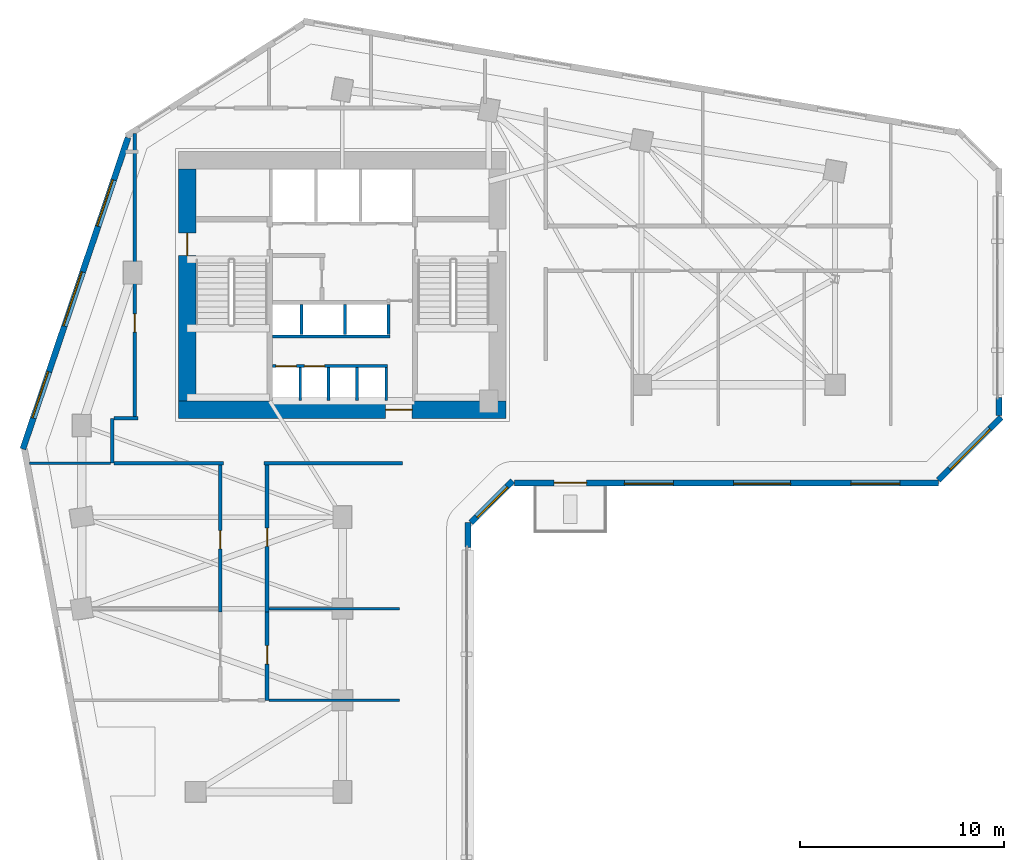
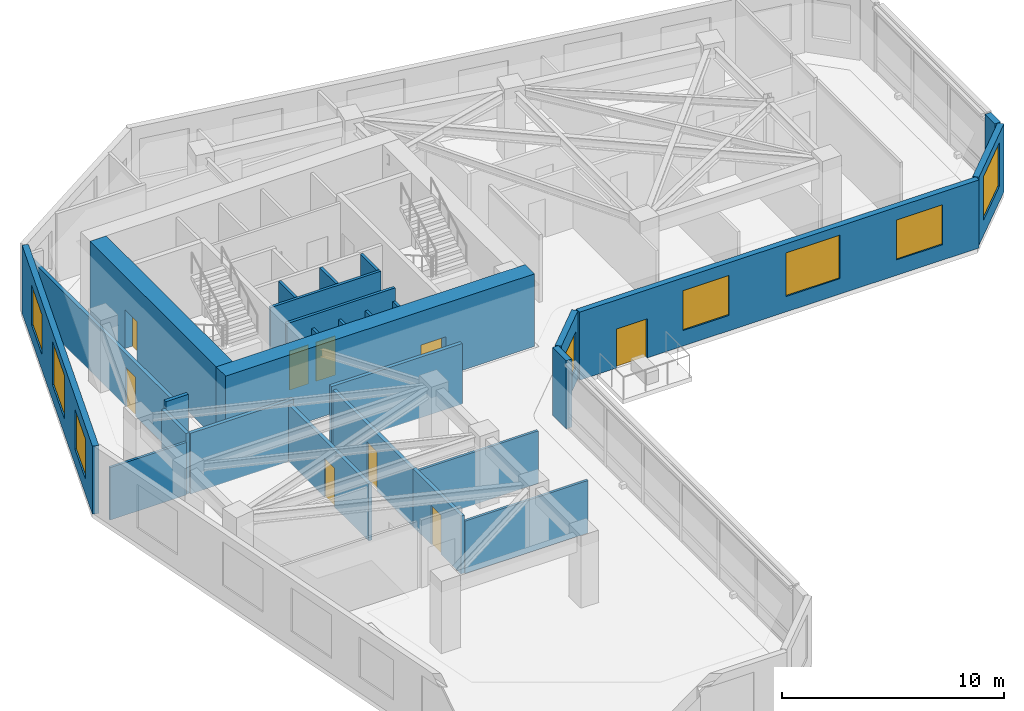
# One storey, part 5 of 10: 28 walls, 9 doors, 8 windows, 17 openings.
"""IFC4 building model written with IfcOpenShell, lengths in metres."""

import ifcopenshell
import ifcopenshell.guid

model = None  # the IFC model being written
_history = None  # IfcOwnerHistory: only IFC2X3 demands one
_inside = {}  # id of a spatial element -> (the spatial element, [elements in it])
_under = {}  # id of a project, library or spatial element -> (it, [spatial elements below it])
_declared = {}  # id of a project -> (the project, [libraries it declares])
_typed = {}  # id of a type object -> (the type object, [elements of that type])
_made_of = {}  # id of a material, layer set ... -> (it, [elements and type objects made of it])


def new_model(schema):
    """Start an empty IFC model of exactly this schema.

    Asked for "IFC4X3", IfcOpenShell would pick the latest addendum, in which some entities
    have other attributes; the version numbers below select the first issue.
    IFC2X3 requires an IfcOwnerHistory on every rooted entity: one is made here for all.
    """
    global model, _history
    if schema == "IFC4X3":
        model = ifcopenshell.file(schema_version=(4, 3, 0, 0))
    else:
        model = ifcopenshell.file(schema=schema)
    _inside.clear()
    _under.clear()
    _declared.clear()
    _typed.clear()
    _made_of.clear()
    _history = None
    if model.schema == "IFC2X3":
        org = make("IfcOrganization", Name="unknown")
        user = make(
            "IfcPersonAndOrganization",
            ThePerson=make("IfcPerson", FamilyName="unknown"),
            TheOrganization=org,
        )
        app = make(
            "IfcApplication",
            ApplicationDeveloper=org,
            Version="unknown",
            ApplicationFullName="unknown",
            ApplicationIdentifier="unknown",
        )
        _history = make(
            "IfcOwnerHistory",
            OwningUser=user,
            OwningApplication=app,
            ChangeAction="ADDED",
            CreationDate=0,
        )
    return model


def make(cls, **values):
    """One entity of the class cls with the attributes given. An attribute that is None is left unset."""
    return model.create_entity(
        cls, **{name: value for name, value in values.items() if value is not None}
    )


def rooted(cls, **values):
    """An entity with a GlobalId (a new one), such as an element, a storey or a relation."""
    return make(cls, GlobalId=ifcopenshell.guid.new(), OwnerHistory=_history, **values)


def si_unit(unit_type, name, prefix=None):
    """IfcSIUnit, for example si_unit("LENGTHUNIT", "METRE", prefix="MILLI")."""
    return make("IfcSIUnit", UnitType=unit_type, Prefix=prefix, Name=name)


def assignment(units):
    """IfcUnitAssignment: the units of a project."""
    return None if units is None else make("IfcUnitAssignment", Units=units)


def point(xyz):
    """IfcCartesianPoint."""
    return None if xyz is None else make("IfcCartesianPoint", Coordinates=xyz)


def direction(xyz):
    """IfcDirection."""
    return None if xyz is None else make("IfcDirection", DirectionRatios=xyz)


def frame(location, z_axis=None, x_axis=None):
    """IfcAxis2Placement3D, a coordinate frame: its origin and axes. An axis left out is left unset."""
    return make(
        "IfcAxis2Placement3D",
        Location=point(location),
        Axis=direction(z_axis),
        RefDirection=direction(x_axis),
    )


def frame_2d(location, x_axis=None):
    """IfcAxis2Placement2D, a coordinate frame in the plane: its origin and x axis."""
    return make(
        "IfcAxis2Placement2D", Location=point(location), RefDirection=direction(x_axis)
    )


def origin():
    """The frame at (0, 0, 0) with its axes left unset."""
    return frame((0.0, 0.0, 0.0))


def place(relative_to, where):
    """IfcLocalPlacement: puts the frame where relative to a parent placement (None: the world)."""
    return make(
        "IfcLocalPlacement", PlacementRelTo=relative_to, RelativePlacement=where
    )


def context(
    kind, dimensions, precision=None, world=None, true_north=None, identifier=None
):
    """IfcGeometricRepresentationContext, for example the 3D "Model" context."""
    return make(
        "IfcGeometricRepresentationContext",
        ContextIdentifier=identifier,
        ContextType=kind,
        CoordinateSpaceDimension=dimensions,
        Precision=precision,
        WorldCoordinateSystem=world,
        TrueNorth=true_north,
    )


def subcontext(parent, identifier, kind, view, scale=None):
    """IfcGeometricRepresentationSubContext, for example "Body" below "Model"."""
    return make(
        "IfcGeometricRepresentationSubContext",
        ContextIdentifier=identifier,
        ContextType=kind,
        ParentContext=parent,
        TargetScale=scale,
        TargetView=view,
    )


def project(units=None, contexts=None):
    """IfcProject with its units and contexts."""
    return rooted(
        "IfcProject",
        Name="project",
        RepresentationContexts=contexts,
        UnitsInContext=assignment(units),
    )


def spatial(cls, under=None, at=None, **own):
    """A site, building, storey or space (cls), placed at a placement, below another one or the project."""
    s = rooted(cls, ObjectPlacement=at, **own)
    if under is not None:
        _under.setdefault(under.id(), (under, []))[1].append(s)
    return s


def profile(cls, at=None, kind="AREA", **sizes):
    """A parametric profile (cls). Its sizes go by their IFC names, for example OverallWidth=200.0."""
    return make(cls, ProfileType=kind, Position=at, **sizes)


def rectangle(**sizes):
    """IfcRectangleProfileDef."""
    return profile("IfcRectangleProfileDef", **sizes)


def extrude(swept, where, along, depth):
    """IfcExtrudedAreaSolid: the profile swept, set in the frame where, extruded along a direction by depth."""
    return make(
        "IfcExtrudedAreaSolid",
        SweptArea=swept,
        Position=where,
        ExtrudedDirection=direction(along),
        Depth=depth,
    )


def shape(context_of_items, identifier, shape_type, items):
    """IfcShapeRepresentation: the items that make up one representation, for example the "Body"."""
    return make(
        "IfcShapeRepresentation",
        ContextOfItems=context_of_items,
        RepresentationIdentifier=identifier,
        RepresentationType=shape_type,
        Items=items,
    )


def source(mapping_origin, context_of_items, identifier, shape_type, items):
    """IfcRepresentationMap: a shape defined once, which mapped items show again and again."""
    return make(
        "IfcRepresentationMap",
        MappingOrigin=mapping_origin,
        MappedRepresentation=shape(context_of_items, identifier, shape_type, items),
    )


def transform(
    local_origin,
    x_axis=None,
    y_axis=None,
    z_axis=None,
    scale=None,
    scale2=None,
    scale3=None,
    uniform=True,
):
    """IfcCartesianTransformationOperator3D, or its non-uniform kind. x_axis, y_axis, z_axis: its Axis1, 2, 3."""
    if uniform:
        return make(
            "IfcCartesianTransformationOperator3D",
            Axis1=direction(x_axis),
            Axis2=direction(y_axis),
            LocalOrigin=point(local_origin),
            Scale=scale,
            Axis3=direction(z_axis),
        )
    return make(
        "IfcCartesianTransformationOperator3DnonUniform",
        Axis1=direction(x_axis),
        Axis2=direction(y_axis),
        LocalOrigin=point(local_origin),
        Scale=scale,
        Axis3=direction(z_axis),
        Scale2=scale2,
        Scale3=scale3,
    )


def mapped(mapping_source, mapping_target):
    """IfcMappedItem: shows the shape of a source again, moved by a transform."""
    return make(
        "IfcMappedItem", MappingSource=mapping_source, MappingTarget=mapping_target
    )


def material(Name=None, Category=None):
    """IfcMaterial."""
    return make("IfcMaterial", Name=Name, Category=Category)


def layer(
    of_material, thickness, ventilated=None, Name=None, Category=None, Priority=None
):
    """IfcMaterialLayer: one layer of a wall or slab, of a material (None: an air gap)."""
    return make(
        "IfcMaterialLayer",
        Material=of_material,
        LayerThickness=thickness,
        IsVentilated=ventilated,
        Name=Name,
        Category=Category,
        Priority=Priority,
    )


def layer_set(layers, Name=None):
    """IfcMaterialLayerSet."""
    return make("IfcMaterialLayerSet", MaterialLayers=layers, LayerSetName=Name)


def made_of(thing, what):
    """Note that an element or type object is made of a material, layer set ...; save() writes the relation."""
    if what is not None:
        _made_of.setdefault(what.id(), (what, []))[1].append(thing)
    return thing


def type_object(cls, material=None, **own):
    """A type object (cls), such as IfcWallType, which elements share."""
    return made_of(rooted(cls, **own), material)


def element(
    cls,
    number,
    at=None,
    inside=None,
    cuts=None,
    type_object=None,
    material=None,
    context=None,
    identifier="Body",
    shape_type=None,
    held_by="IfcProductDefinitionShape",
    body=None,
    shapes=None,
    **own,
):
    """One element of the class cls, such as IfcWall. Its Tag is "e" and its number.

    at: its placement. inside: the storey or other place that contains it. cuts: it is an
    opening in that element (IfcRelVoidsElement). A single representation is given by context,
    identifier, shape_type and body (its items); several are given by shapes. held_by: the class
    of the entity that holds the representations. save() writes the other relations.
    """
    e = rooted(cls, Tag="e%d" % number, ObjectPlacement=at, **own)
    if body is not None:
        shapes = [shape(context, identifier, shape_type, body)]
    if shapes is not None:
        e.Representation = make(held_by, Representations=shapes)
    if inside is not None:
        _inside.setdefault(inside.id(), (inside, []))[1].append(e)
    if cuts is not None:
        rooted(
            "IfcRelVoidsElement", RelatingBuildingElement=cuts, RelatedOpeningElement=e
        )
    if type_object is not None:
        _typed.setdefault(type_object.id(), (type_object, []))[1].append(e)
    return made_of(e, material)


def fill(opening, filler):
    """IfcRelFillsElement: the door or window that sits in an opening."""
    return rooted(
        "IfcRelFillsElement",
        RelatingOpeningElement=opening,
        RelatedBuildingElement=filler,
    )


def aggregate(whole, parts):
    """IfcRelAggregates: a whole, such as a stair, and the parts it consists of."""
    return rooted("IfcRelAggregates", RelatingObject=whole, RelatedObjects=parts)


def save(model, path):
    """Write the relations noted so far, then the file.

    IfcRelAggregates (storeys below a building ...), IfcRelContainedInSpatialStructure (elements
    in a storey), IfcRelDefinesByType, IfcRelAssociatesMaterial and IfcRelDeclares: one each for
    every whole, place, type object, material and project.
    """
    for whole, parts in _under.values():
        aggregate(whole, parts)
    for where, things in _inside.values():
        rooted(
            "IfcRelContainedInSpatialStructure",
            RelatedElements=things,
            RelatingStructure=where,
        )
    for kind, things in _typed.values():
        rooted("IfcRelDefinesByType", RelatedObjects=things, RelatingType=kind)
    for what, things in _made_of.values():
        rooted("IfcRelAssociatesMaterial", RelatedObjects=things, RelatingMaterial=what)
    for by, libraries in _declared.values():
        rooted("IfcRelDeclares", RelatingContext=by, RelatedDefinitions=libraries)
    model.write(path)


model = new_model("IFC4")

# Units and contexts
model_context = context("Model", 3, precision=1e-05, world=origin(), true_north=direction((0.0, 1.0)))
body_context = subcontext(model_context, "Body", "Model", "MODEL_VIEW")
ifc_project = project(units=[si_unit("LENGTHUNIT", "METRE"), si_unit("AREAUNIT", "SQUARE_METRE"), si_unit("VOLUMEUNIT", "CUBIC_METRE"), si_unit("PLANEANGLEUNIT", "RADIAN"), si_unit("MASSUNIT", "GRAM", prefix="KILO")], contexts=[model_context])

# Site, building, storey
site_placement = place(None, origin())
site = spatial("IfcSite", under=ifc_project, at=site_placement, CompositionType="ELEMENT")
building_placement = place(site_placement, origin())
building = spatial("IfcBuilding", under=site, at=building_placement, Name="Calvemar Wedge Station Tower", CompositionType="ELEMENT")
storey_placement = place(building_placement, frame((0.0, 0.0, 87.0)))
storey = spatial("IfcBuildingStorey", under=building, at=storey_placement, Name="L21", CompositionType="ELEMENT", Elevation=87.0)

# Wall, opening, door
ifc_material_1 = material(Name="Concrete C80", Category="concrete")
ifc_layer_1 = layer(ifc_material_1, 0.85009765625)
ifc_layer_set_1 = layer_set([ifc_layer_1], Name="Concrete C80")
wall_type_1 = type_object("IfcWallType", Name="SW-CORE-850", PredefinedType="SHEAR", material=ifc_layer_set_1)
wall_1_placement = place(storey_placement, frame((15.75, 33.77490234375, 0.0), z_axis=(0.0, 0.0, 1.0), x_axis=(1.0, 0.0, 0.0)))
wall_1 = element("IfcWall", 1, at=wall_1_placement, inside=storey, type_object=wall_type_1, Name="Storey L21 Core Shear Wall S", PredefinedType="SHEAR", context=body_context, shape_type="SweptSolid", body=[
    extrude(rectangle(XDim=16.10009765625, YDim=0.85009765625, at=frame_2d((8.050048828125, 0.0))), origin(), (0.0, 0.0, 1.0), 4.0),
])
shared_shape_1 = source(origin(), body_context, "Body", "SweptSolid", [
    extrude(rectangle(XDim=1.300048828125, YDim=2.14990234375, at=frame_2d((0.64990234375, 1.074951171875))), frame((0.0, 0.43505859375, 0.0), z_axis=(0.0, -1.0, 0.0), x_axis=(1.0, 0.0, 0.0)), (0.0, 0.0, 1.0), 0.8701171875),
])
opening_1_placement = place(wall_1_placement, frame((10.179931640625, 0.0, 0.0)))
opening_1 = element("IfcOpeningElement", 2, at=opening_1_placement, cuts=wall_1, Name="Opening DD-130", PredefinedType="OPENING", context=body_context, shape_type="MappedRepresentation", body=[
    mapped(shared_shape_1, transform((0.0, 0.0, 0.0), scale=1.0)),
])
ifc_material_2 = material(Name="Double-leaf lift lobby fire door EI 60")
door_type_1 = type_object("IfcDoorType", Name="DR-DBL-1300", OperationType="DOUBLE_DOOR_SINGLE_SWING", PredefinedType="DOOR", material=ifc_material_2)
shared_shape_2 = source(origin(), body_context, "Body", "SweptSolid", [
    extrude(rectangle(XDim=1.300048828125, YDim=2.14990234375, at=frame_2d((0.64990234375, 1.074951171875))), frame((0.0, 0.02490234375, 0.0), z_axis=(0.0, -1.0, 0.0), x_axis=(1.0, 0.0, 0.0)), (0.0, 0.0, 1.0), 0.050048828125),
])
door_1_placement = place(opening_1_placement, origin())
door_1 = element("IfcDoor", 3, at=door_1_placement, inside=storey, type_object=door_type_1, Name="L21 Passenger Lift Lobby Door", OperationType="DOUBLE_DOOR_SINGLE_SWING", OverallHeight=2.14990234375, OverallWidth=1.300048828125, PredefinedType="DOOR", context=body_context, shape_type="MappedRepresentation", body=[
    mapped(shared_shape_2, transform((0.0, 0.0, 0.0), scale=1.0)),
])
fill(opening_1, door_1)

wall_2_placement = place(storey_placement, frame((16.175048828125, 34.199951171875, 0.0), z_axis=(0.0, 0.0, 1.0), x_axis=(0.0, 1.0, 0.0)))
wall_2 = element("IfcWall", 4, at=wall_2_placement, inside=storey, type_object=wall_type_1, Name="Storey L21 Core Shear Wall W", PredefinedType="SHEAR", context=body_context, shape_type="SweptSolid", body=[
    extrude(rectangle(XDim=11.400146484375, YDim=0.85009765625, at=frame_2d((5.7001953125, 0.0))), origin(), (0.0, 0.0, 1.0), 4.0),
])
shared_shape_3 = source(origin(), body_context, "Body", "SweptSolid", [
    extrude(rectangle(XDim=1.10009765625, YDim=2.14990234375, at=frame_2d((0.550048828125, 1.074951171875))), frame((0.0, 0.43505859375, 0.0), z_axis=(0.0, -1.0, 0.0), x_axis=(1.0, 0.0, 0.0)), (0.0, 0.0, 1.0), 0.8701171875),
])
opening_2_placement = place(wall_2_placement, frame((7.14990234375, 0.0, 0.0)))
opening_2 = element("IfcOpeningElement", 5, at=opening_2_placement, cuts=wall_2, Name="Opening FD-90", PredefinedType="OPENING", context=body_context, shape_type="MappedRepresentation", body=[
    mapped(shared_shape_3, transform((0.0, 0.0, 0.0), scale=1.0)),
])
ifc_material_3 = material(Name="Galvanized fire-rated steel door leaf P-90", Category="steel")
door_type_2 = type_object("IfcDoorType", Name="DR-FD90-1100", OperationType="NOTDEFINED", PredefinedType="DOOR", material=ifc_material_3)
shared_shape_4 = source(origin(), body_context, "Body", "SweptSolid", [
    extrude(rectangle(XDim=1.10009765625, YDim=2.14990234375, at=frame_2d((0.550048828125, 1.074951171875))), frame((0.0, 0.02490234375, 0.0), z_axis=(0.0, -1.0, 0.0), x_axis=(1.0, 0.0, 0.0)), (0.0, 0.0, 1.0), 0.050048828125),
])
door_2_placement = place(opening_2_placement, origin())
door_2 = element("IfcDoor", 6, at=door_2_placement, inside=storey, type_object=door_type_2, Name="L21 West Corridor to Exit Stair ST-C1 Door", OperationType="SINGLE_SWING_LEFT", OverallHeight=2.14990234375, OverallWidth=1.10009765625, PredefinedType="DOOR", context=body_context, shape_type="MappedRepresentation", body=[
    mapped(shared_shape_4, transform((0.0, 0.0, 0.0), scale=1.0)),
])
fill(opening_2, door_2)

# Walls
ifc_material_4 = material(Name="Double-stud fire-rated corridor partition")
ifc_layer_2 = layer(ifc_material_4, 0.179931640625)
ifc_layer_set_2 = layer_set([ifc_layer_2], Name="Double-stud fire-rated corridor partition")
wall_type_2 = type_object("IfcWallType", Name="W-CORR-180", PredefinedType="PARTITIONING", material=ifc_layer_set_2)
wall_3_placement = place(storey_placement, frame((12.5, 31.14990234375, 0.0), z_axis=(0.0, 0.0, 1.0), x_axis=(0.0, 1.0, 0.0)))
element("IfcWall", 7, at=wall_3_placement, inside=storey, type_object=wall_type_2, Name="Storey L21 Interior Partition WL-L21-004", PredefinedType="PARTITIONING", context=body_context, shape_type="SweptSolid", body=[
    extrude(rectangle(XDim=2.2001953125, YDim=0.179931640625, at=frame_2d((1.10009765625, 0.0))), origin(), (0.0, 0.0, 1.0), 3.3349609375),
])
wall_4_placement = place(storey_placement, frame((12.593994140625, 33.35009765625, 0.0), z_axis=(0.0, 0.0, 1.0), x_axis=(1.0, 0.0, 0.0)))
element("IfcWall", 8, at=wall_4_placement, inside=storey, type_object=wall_type_2, Name="Storey L21 Interior Partition WL-L21-005", PredefinedType="PARTITIONING", context=body_context, shape_type="SweptSolid", body=[
    extrude(rectangle(XDim=1.166015625, YDim=0.179931640625, at=frame_2d((0.5830078125, 0.0))), origin(), (0.0, 0.0, 1.0), 3.75),
])
wall_5_placement = place(storey_placement, frame((17.9599609375, 31.14990234375, 0.0), z_axis=(0.0, 0.0, 1.0), x_axis=(-1.0, 0.0, 0.0)))
element("IfcWall", 9, at=wall_5_placement, inside=storey, type_object=wall_type_2, Name="Storey L21 Interior Partition WL-L21-006", PredefinedType="PARTITIONING", context=body_context, shape_type="SweptSolid", body=[
    extrude(rectangle(XDim=5.365966796875, YDim=0.179931640625, at=frame_2d((2.68310546875, 0.0))), origin(), (0.0, 0.0, 1.0), 3.3349609375),
])
wall_6_placement = place(storey_placement, frame((26.760009765625, 31.14990234375, 0.0), z_axis=(0.0, 0.0, 1.0), x_axis=(-1.0, 0.0, 0.0)))
element("IfcWall", 10, at=wall_6_placement, inside=storey, type_object=wall_type_2, Name="Storey L21 Interior Partition WL-L21-007", PredefinedType="PARTITIONING", context=body_context, shape_type="SweptSolid", body=[
    extrude(rectangle(XDim=6.820068359375, YDim=0.179931640625, at=frame_2d((3.41015625, 0.0))), origin(), (0.0, 0.0, 1.0), 3.3349609375),
])

# Wall, opening, door
wall_7_placement = place(storey_placement, frame((13.60009765625, 33.444091796875, 0.0), z_axis=(0.0, 0.0, 1.0), x_axis=(0.0, 1.0, 0.0)))
wall_7 = element("IfcWall", 11, at=wall_7_placement, inside=storey, type_object=wall_type_2, Name="Storey L21 Interior Partition WL-L21-008", PredefinedType="PARTITIONING", context=body_context, shape_type="SweptSolid", body=[
    extrude(rectangle(XDim=13.896240234375, YDim=0.179931640625, at=frame_2d((6.9482421875, 0.0))), origin(), (0.0, 0.0, 1.0), 2.89208984375),
])
shared_shape_5 = source(origin(), body_context, "Body", "SweptSolid", [
    extrude(rectangle(XDim=0.89990234375, YDim=2.14990234375, at=frame_2d((0.449951171875, 1.074951171875))), frame((0.0, 0.10009765625, 0.0), z_axis=(0.0, -1.0, 0.0), x_axis=(1.0, 0.0, 0.0)), (0.0, 0.0, 1.0), 0.199951171875),
])
opening_3_placement = place(wall_7_placement, frame((4.143798828125, 0.0, 0.0)))
opening_3 = element("IfcOpeningElement", 12, at=opening_3_placement, cuts=wall_7, Name="Opening D-01", PredefinedType="OPENING", context=body_context, shape_type="MappedRepresentation", body=[
    mapped(shared_shape_5, transform((0.0, 0.0, 0.0), scale=1.0)),
])
ifc_material_5 = material(Name="Architectural hardwood acoustic swing door", Category="wood")
door_type_3 = type_object("IfcDoorType", Name="DR-INT-900", OperationType="NOTDEFINED", PredefinedType="DOOR", material=ifc_material_5)
shared_shape_6 = source(origin(), body_context, "Body", "SweptSolid", [
    extrude(rectangle(XDim=0.89990234375, YDim=2.14990234375, at=frame_2d((0.449951171875, 1.074951171875))), frame((0.0, 0.02490234375, 0.0), z_axis=(0.0, -1.0, 0.0), x_axis=(1.0, 0.0, 0.0)), (0.0, 0.0, 1.0), 0.050048828125),
])
door_3_placement = place(opening_3_placement, origin())
door_3 = element("IfcDoor", 13, at=door_3_placement, inside=storey, type_object=door_type_3, Name="L21 Co-Working Studio Door", OperationType="SINGLE_SWING_LEFT", OverallHeight=2.14990234375, OverallWidth=0.89990234375, PredefinedType="DOOR", context=body_context, shape_type="MappedRepresentation", body=[
    mapped(shared_shape_6, transform((0.0, 0.0, 0.0), scale=1.0)),
])
fill(opening_3, door_3)

wall_8_placement = place(storey_placement, frame((17.800048828125, 23.840087890625, 0.0), z_axis=(0.0, 0.0, 1.0), x_axis=(0.0, 1.0, 0.0)))
wall_8 = element("IfcWall", 14, at=wall_8_placement, inside=storey, type_object=wall_type_2, Name="Storey L21 Interior Partition WL-L21-032", PredefinedType="PARTITIONING", context=body_context, shape_type="SweptSolid", body=[
    extrude(rectangle(XDim=7.2158203125, YDim=0.179931640625, at=frame_2d((3.60791015625, 0.0))), origin(), (0.0, 0.0, 1.0), 3.125),
])
opening_4_placement = place(wall_8_placement, frame((3.0966796875, 0.0, 0.0)))
opening_4 = element("IfcOpeningElement", 15, at=opening_4_placement, cuts=wall_8, Name="Opening D-01", PredefinedType="OPENING", context=body_context, shape_type="MappedRepresentation", body=[
    mapped(shared_shape_5, transform((0.0, 0.0, 0.0), scale=1.0)),
])
door_4_placement = place(opening_4_placement, origin())
door_4 = element("IfcDoor", 16, at=door_4_placement, inside=storey, type_object=door_type_3, Name="L21 Co-Working Studio Door", OperationType="SINGLE_SWING_RIGHT", OverallHeight=2.14990234375, OverallWidth=0.89990234375, PredefinedType="DOOR", context=body_context, shape_type="MappedRepresentation", body=[
    mapped(shared_shape_6, transform((0.0, 0.0, 0.0), scale=1.0)),
])
fill(opening_4, door_4)

wall_9_placement = place(storey_placement, frame((20.10009765625, 31.055908203125, 0.0), z_axis=(0.0, 0.0, 1.0), x_axis=(0.0, -1.0, 0.0)))
wall_9 = element("IfcWall", 17, at=wall_9_placement, inside=storey, type_object=wall_type_2, Name="Storey L21 Interior Partition WL-L21-034", PredefinedType="PARTITIONING", context=body_context, shape_type="SweptSolid", body=[
    extrude(rectangle(XDim=7.2158203125, YDim=0.179931640625, at=frame_2d((3.60791015625, 0.0))), origin(), (0.0, 0.0, 1.0), 3.125),
])
opening_5_placement = place(wall_9_placement, frame((3.0966796875, 0.0, 0.0)))
opening_5 = element("IfcOpeningElement", 18, at=opening_5_placement, cuts=wall_9, Name="Opening D-01", PredefinedType="OPENING", context=body_context, shape_type="MappedRepresentation", body=[
    mapped(shared_shape_5, transform((0.0, 0.0, 0.0), scale=1.0)),
])
door_5_placement = place(opening_5_placement, origin())
door_5 = element("IfcDoor", 19, at=door_5_placement, inside=storey, type_object=door_type_3, Name="L21 Meeting Room Door", OperationType="SINGLE_SWING_RIGHT", OverallHeight=2.14990234375, OverallWidth=0.89990234375, PredefinedType="DOOR", context=body_context, shape_type="MappedRepresentation", body=[
    mapped(shared_shape_6, transform((0.0, 0.0, 0.0), scale=1.0)),
])
fill(opening_5, door_5)

wall_10_placement = place(storey_placement, frame((20.10009765625, 23.837890625, 0.0), z_axis=(0.0, 0.0, 1.0), x_axis=(0.0, -1.0, 0.0)))
wall_10 = element("IfcWall", 20, at=wall_10_placement, inside=storey, type_object=wall_type_2, Name="Storey L21 Interior Partition WL-L21-035", PredefinedType="PARTITIONING", context=body_context, shape_type="SweptSolid", body=[
    extrude(rectangle(XDim=4.337890625, YDim=0.179931640625, at=frame_2d((2.1689453125, 0.0))), origin(), (0.0, 0.0, 1.0), 3.18798828125),
])
opening_6_placement = place(wall_10_placement, frame((1.656494140625, 0.0, 0.0)))
opening_6 = element("IfcOpeningElement", 21, at=opening_6_placement, cuts=wall_10, Name="Opening D-01", PredefinedType="OPENING", context=body_context, shape_type="MappedRepresentation", body=[
    mapped(shared_shape_5, transform((0.0, 0.0, 0.0), scale=1.0)),
])
door_6_placement = place(opening_6_placement, origin())
door_6 = element("IfcDoor", 22, at=door_6_placement, inside=storey, type_object=door_type_3, Name="L21 Office Door", OperationType="SINGLE_SWING_LEFT", OverallHeight=2.14990234375, OverallWidth=0.89990234375, PredefinedType="DOOR", context=body_context, shape_type="MappedRepresentation", body=[
    mapped(shared_shape_6, transform((0.0, 0.0, 0.0), scale=1.0)),
])
fill(opening_6, door_6)

# Wall
ifc_material_6 = material(Name="Precast concrete C45", Category="concrete")
ifc_layer_3 = layer(ifc_material_6, 0.300048828125)
ifc_layer_set_3 = layer_set([ifc_layer_3], Name="Precast concrete C45")
wall_type_3 = type_object("IfcWallType", Name="W-EXT-GFRC-300", PredefinedType="SOLIDWALL", material=ifc_layer_set_3)
wall_11_placement = place(storey_placement, frame((29.97802734375, 27.01513671875, 0.0), z_axis=(0.0, 0.0, 1.0), x_axis=(0.0, 1.0, 0.0)))
element("IfcWall", 23, at=wall_11_placement, inside=storey, type_object=wall_type_3, Name="Storey L21 Bronze GFRC Corner Pier 4B", PredefinedType="SOLIDWALL", context=body_context, shape_type="SweptSolid", body=[
    extrude(rectangle(XDim=1.224853515625, YDim=0.300048828125, at=frame_2d((0.6123046875, 0.0))), origin(), (0.0, 0.0, 1.0), 3.75),
])

# Wall, opening, window
wall_12_placement = place(storey_placement, frame((30.115966796875, 28.22802734375, 0.0), z_axis=(0.0, 0.0, 1.0), x_axis=(0.707064797706, 0.707148762175, 0.0)))
wall_12 = element("IfcWall", 24, at=wall_12_placement, inside=storey, type_object=wall_type_3, Name="Storey L21 Bronze GFRC Exterior Wall 5", PredefinedType="SOLIDWALL", context=body_context, shape_type="SweptSolid", body=[
    extrude(rectangle(XDim=2.90771484375, YDim=0.300048828125, at=frame_2d((1.453857421875, 0.0))), origin(), (0.0, 0.0, 1.0), 3.75),
])
shared_shape_7 = source(origin(), body_context, "Body", "SweptSolid", [
    extrude(rectangle(XDim=2.10009765625, YDim=2.0, at=frame_2d((1.050048828125, 1.0))), frame((0.0, 0.16015625, 0.0), z_axis=(0.0, -1.0, 0.0), x_axis=(1.0, 0.0, 0.0)), (0.0, 0.0, 1.0), 0.320068359375),
])
opening_7_placement = place(wall_12_placement, frame((0.404052734375, 0.0, 0.85009765625)))
opening_7 = element("IfcOpeningElement", 25, at=opening_7_placement, cuts=wall_12, Name="Opening W4", PredefinedType="OPENING", context=body_context, shape_type="MappedRepresentation", body=[
    mapped(shared_shape_7, transform((0.0, 0.0, 0.0), scale=1.0)),
])
ifc_material_7 = material(Name="Low-E laminated insulated glass", Category="glass")
window_type_1 = type_object("IfcWindowType", Name="WIN-EXT-4", PartitioningType="SINGLE_PANEL", PredefinedType="WINDOW", material=ifc_material_7)
shared_shape_8 = source(origin(), body_context, "Body", "SweptSolid", [
    extrude(rectangle(XDim=2.10009765625, YDim=2.0, at=frame_2d((1.050048828125, 1.0))), frame((0.0, -0.014892578125, 0.0), z_axis=(0.0, -1.0, 0.0), x_axis=(1.0, 0.0, 0.0)), (0.0, 0.0, 1.0), 0.06005859375),
])
window_1_placement = place(opening_7_placement, origin())
window_1 = element("IfcWindow", 26, at=window_1_placement, inside=storey, type_object=window_type_1, Name="Storey L21 Recessed Window 5.1", OverallHeight=2.0, OverallWidth=2.10009765625, PartitioningType="SINGLE_PANEL", PredefinedType="WINDOW", context=body_context, shape_type="MappedRepresentation", body=[
    mapped(shared_shape_8, transform((0.0, 0.0, 0.0), scale=1.0)),
])
fill(opening_7, window_1)

# Wall, openings, windows, door
wall_13_placement = place(storey_placement, frame((32.260986328125, 30.177978515625, 0.0), z_axis=(0.0, 0.0, 1.0), x_axis=(1.0, 0.0, 0.0)))
wall_13 = element("IfcWall", 27, at=wall_13_placement, inside=storey, type_object=wall_type_3, Name="Storey L21 Bronze GFRC Exterior Wall 6", PredefinedType="SOLIDWALL", context=body_context, shape_type="SweptSolid", body=[
    extrude(rectangle(XDim=20.826904296875, YDim=0.300048828125, at=frame_2d((10.41357421875, 0.0))), origin(), (0.0, 0.0, 1.0), 3.75),
])
shared_shape_9 = source(origin(), body_context, "Body", "SweptSolid", [
    extrude(rectangle(XDim=1.60009765625, YDim=2.14990234375, at=frame_2d((0.800048828125, 1.074951171875))), frame((0.0, 0.16015625, 0.0), z_axis=(0.0, -1.0, 0.0), x_axis=(1.0, 0.0, 0.0)), (0.0, 0.0, 1.0), 0.320068359375),
])
opening_8_placement = place(wall_13_placement, frame((1.93896484375, 0.0, 0.0)))
opening_8 = element("IfcOpeningElement", 28, at=opening_8_placement, cuts=wall_13, Name="Opening DT1", PredefinedType="OPENING", context=body_context, shape_type="MappedRepresentation", body=[
    mapped(shared_shape_9, transform((0.0, 0.0, 0.0), scale=1.0)),
])
shared_shape_10 = source(origin(), body_context, "Body", "SweptSolid", [
    extrude(rectangle(XDim=2.39990234375, YDim=2.199951171875, at=frame_2d((1.199951171875, 1.10009765625))), frame((0.0, 0.16015625, 0.0), z_axis=(0.0, -1.0, 0.0), x_axis=(1.0, 0.0, 0.0)), (0.0, 0.0, 1.0), 0.320068359375),
])
opening_9_placement = place(wall_13_placement, frame((5.39990234375, 0.0, 0.85009765625)))
opening_9 = element("IfcOpeningElement", 29, at=opening_9_placement, cuts=wall_13, Name="Opening W1", PredefinedType="OPENING", context=body_context, shape_type="MappedRepresentation", body=[
    mapped(shared_shape_10, transform((0.0, 0.0, 0.0), scale=1.0)),
])
shared_shape_11 = source(origin(), body_context, "Body", "SweptSolid", [
    extrude(rectangle(XDim=2.800048828125, YDim=2.39990234375, at=frame_2d((1.39990234375, 1.199951171875))), frame((0.0, 0.16015625, 0.0), z_axis=(0.0, -1.0, 0.0), x_axis=(1.0, 0.0, 0.0)), (0.0, 0.0, 1.0), 0.320068359375),
])
opening_10_placement = place(wall_13_placement, frame((10.762939453125, 0.0, 0.85009765625)))
opening_10 = element("IfcOpeningElement", 30, at=opening_10_placement, cuts=wall_13, Name="Opening W6", PredefinedType="OPENING", context=body_context, shape_type="MappedRepresentation", body=[
    mapped(shared_shape_11, transform((0.0, 0.0, 0.0), scale=1.0)),
])
opening_11_placement = place(wall_13_placement, frame((16.52587890625, 0.0, 0.85009765625)))
opening_11 = element("IfcOpeningElement", 31, at=opening_11_placement, cuts=wall_13, Name="Opening W1", PredefinedType="OPENING", context=body_context, shape_type="MappedRepresentation", body=[
    mapped(shared_shape_10, transform((0.0, 0.0, 0.0), scale=1.0)),
])
window_type_2 = type_object("IfcWindowType", Name="WIN-EXT-6", PartitioningType="SINGLE_PANEL", PredefinedType="WINDOW", material=ifc_material_7)
shared_shape_12 = source(origin(), body_context, "Body", "SweptSolid", [
    extrude(rectangle(XDim=2.800048828125, YDim=2.39990234375, at=frame_2d((1.39990234375, 1.199951171875))), frame((0.0, -0.014892578125, 0.0), z_axis=(0.0, -1.0, 0.0), x_axis=(1.0, 0.0, 0.0)), (0.0, 0.0, 1.0), 0.06005859375),
])
window_2_placement = place(opening_10_placement, origin())
window_2 = element("IfcWindow", 32, at=window_2_placement, inside=storey, type_object=window_type_2, Name="Storey L21 Recessed Window 6.2", OverallHeight=2.39990234375, OverallWidth=2.800048828125, PartitioningType="SINGLE_PANEL", PredefinedType="WINDOW", context=body_context, shape_type="MappedRepresentation", body=[
    mapped(shared_shape_12, transform((0.0, 0.0, 0.0), scale=1.0)),
])
fill(opening_10, window_2)
window_type_3 = type_object("IfcWindowType", Name="WIN-EXT-1", PartitioningType="SINGLE_PANEL", PredefinedType="WINDOW", material=ifc_material_7)
shared_shape_13 = source(origin(), body_context, "Body", "SweptSolid", [
    extrude(rectangle(XDim=2.39990234375, YDim=2.199951171875, at=frame_2d((1.199951171875, 1.10009765625))), frame((0.0, -0.014892578125, 0.0), z_axis=(0.0, -1.0, 0.0), x_axis=(1.0, 0.0, 0.0)), (0.0, 0.0, 1.0), 0.06005859375),
])
window_3_placement = place(opening_9_placement, origin())
window_3 = element("IfcWindow", 33, at=window_3_placement, inside=storey, type_object=window_type_3, Name="Storey L21 Recessed Window 6.1", OverallHeight=2.199951171875, OverallWidth=2.39990234375, PartitioningType="SINGLE_PANEL", PredefinedType="WINDOW", context=body_context, shape_type="MappedRepresentation", body=[
    mapped(shared_shape_13, transform((0.0, 0.0, 0.0), scale=1.0)),
])
fill(opening_9, window_3)
window_4_placement = place(opening_11_placement, origin())
window_4 = element("IfcWindow", 34, at=window_4_placement, inside=storey, type_object=window_type_3, Name="Storey L21 Recessed Window 6.3", OverallHeight=2.199951171875, OverallWidth=2.39990234375, PartitioningType="SINGLE_PANEL", PredefinedType="WINDOW", context=body_context, shape_type="MappedRepresentation", body=[
    mapped(shared_shape_13, transform((0.0, 0.0, 0.0), scale=1.0)),
])
fill(opening_11, window_4)
ifc_material_8 = material(Name="Anodised aluminium 6063-T6", Category="aluminium")
door_type_4 = type_object("IfcDoorType", Name="DR-TERR-1600", OperationType="DOUBLE_DOOR_SLIDING", PredefinedType="DOOR", material=ifc_material_8)
shared_shape_14 = source(origin(), body_context, "Body", "SweptSolid", [
    extrude(rectangle(XDim=1.60009765625, YDim=2.14990234375, at=frame_2d((0.800048828125, 1.074951171875))), frame((0.0, 0.02490234375, 0.0), z_axis=(0.0, -1.0, 0.0), x_axis=(1.0, 0.0, 0.0)), (0.0, 0.0, 1.0), 0.050048828125),
])
door_7_placement = place(opening_8_placement, origin())
door_7 = element("IfcDoor", 35, at=door_7_placement, inside=storey, type_object=door_type_4, Name="Storey L21 Spiral Terrace Door", OperationType="DOUBLE_DOOR_SLIDING", OverallHeight=2.14990234375, OverallWidth=1.60009765625, PredefinedType="DOOR", context=body_context, shape_type="MappedRepresentation", body=[
    mapped(shared_shape_14, transform((0.0, 0.0, 0.0), scale=1.0)),
])
fill(opening_8, door_7)

# Wall, opening, window
wall_14_placement = place(storey_placement, frame((53.075927734375, 30.31591796875, 0.0), z_axis=(0.0, 0.0, 1.0), x_axis=(0.707078757535, 0.707134803727, 0.0)))
wall_14 = element("IfcWall", 36, at=wall_14_placement, inside=storey, type_object=wall_type_3, Name="Storey L21 Bronze GFRC Exterior Wall 7", PredefinedType="SOLIDWALL", context=body_context, shape_type="SweptSolid", body=[
    extrude(rectangle(XDim=4.35595703125, YDim=0.300048828125, at=frame_2d((2.177978515625, 0.0))), origin(), (0.0, 0.0, 1.0), 3.75),
])
opening_12_placement = place(wall_14_placement, frame((0.778076171875, 0.0, 0.85009765625)))
opening_12 = element("IfcOpeningElement", 37, at=opening_12_placement, cuts=wall_14, Name="Opening W6", PredefinedType="OPENING", context=body_context, shape_type="MappedRepresentation", body=[
    mapped(shared_shape_11, transform((0.0, 0.0, 0.0), scale=1.0)),
])
window_5_placement = place(opening_12_placement, origin())
window_5 = element("IfcWindow", 38, at=window_5_placement, inside=storey, type_object=window_type_2, Name="Storey L21 Recessed Window 7.1", OverallHeight=2.39990234375, OverallWidth=2.800048828125, PartitioningType="SINGLE_PANEL", PredefinedType="WINDOW", context=body_context, shape_type="MappedRepresentation", body=[
    mapped(shared_shape_12, transform((0.0, 0.0, 0.0), scale=1.0)),
])
fill(opening_12, window_5)

# Wall
wall_15_placement = place(storey_placement, frame((56.050048828125, 33.4853515625, 0.0), z_axis=(0.0, 0.0, 1.0), x_axis=(0.0, 1.0, 0.0)))
element("IfcWall", 39, at=wall_15_placement, inside=storey, type_object=wall_type_3, Name="Storey L21 Bronze GFRC Corner Pier 8A", PredefinedType="SOLIDWALL", context=body_context, shape_type="SweptSolid", body=[
    extrude(rectangle(XDim=0.879638671875, YDim=0.300048828125, at=frame_2d((0.43994140625, 0.0))), origin(), (0.0, 0.0, 1.0), 3.75),
])

# Wall, openings, windows
wall_16_placement = place(storey_placement, frame((13.2685546875, 47.1337890625, 0.0), z_axis=(0.0, 0.0, 1.0), x_axis=(-0.319920423265, -0.947444416722, 0.0)))
wall_16 = element("IfcWall", 40, at=wall_16_placement, inside=storey, type_object=wall_type_3, Name="Storey L21 Bronze GFRC Exterior Wall 12", PredefinedType="SOLIDWALL", context=body_context, shape_type="SweptSolid", body=[
    extrude(rectangle(XDim=16.134765625, YDim=0.300048828125, at=frame_2d((8.0673828125, 0.0))), origin(), (0.0, 0.0, 1.0), 3.75),
])
opening_13_placement = place(wall_16_placement, frame((2.18798828125, 0.0, 0.85009765625)))
opening_13 = element("IfcOpeningElement", 41, at=opening_13_placement, cuts=wall_16, Name="Opening W1", PredefinedType="OPENING", context=body_context, shape_type="MappedRepresentation", body=[
    mapped(shared_shape_10, transform((0.0, 0.0, 0.0), scale=1.0)),
])
opening_14_placement = place(wall_16_placement, frame((6.958984375, 0.0, 0.85009765625)))
opening_14 = element("IfcOpeningElement", 42, at=opening_14_placement, cuts=wall_16, Name="Opening W6", PredefinedType="OPENING", context=body_context, shape_type="MappedRepresentation", body=[
    mapped(shared_shape_11, transform((0.0, 0.0, 0.0), scale=1.0)),
])
opening_15_placement = place(wall_16_placement, frame((12.1298828125, 0.0, 0.85009765625)))
opening_15 = element("IfcOpeningElement", 43, at=opening_15_placement, cuts=wall_16, Name="Opening W1", PredefinedType="OPENING", context=body_context, shape_type="MappedRepresentation", body=[
    mapped(shared_shape_10, transform((0.0, 0.0, 0.0), scale=1.0)),
])
window_6_placement = place(opening_14_placement, origin())
window_6 = element("IfcWindow", 44, at=window_6_placement, inside=storey, type_object=window_type_2, Name="Storey L21 Recessed Window 12.2", OverallHeight=2.39990234375, OverallWidth=2.800048828125, PartitioningType="SINGLE_PANEL", PredefinedType="WINDOW", context=body_context, shape_type="MappedRepresentation", body=[
    mapped(shared_shape_12, transform((0.0, 0.0, 0.0), scale=1.0)),
])
fill(opening_14, window_6)
window_7_placement = place(opening_13_placement, origin())
window_7 = element("IfcWindow", 45, at=window_7_placement, inside=storey, type_object=window_type_3, Name="Storey L21 Recessed Window 12.1", OverallHeight=2.199951171875, OverallWidth=2.39990234375, PartitioningType="SINGLE_PANEL", PredefinedType="WINDOW", context=body_context, shape_type="MappedRepresentation", body=[
    mapped(shared_shape_13, transform((0.0, 0.0, 0.0), scale=1.0)),
])
fill(opening_13, window_7)
window_8_placement = place(opening_15_placement, origin())
window_8 = element("IfcWindow", 46, at=window_8_placement, inside=storey, type_object=window_type_3, Name="Storey L21 Recessed Window 12.3", OverallHeight=2.199951171875, OverallWidth=2.39990234375, PartitioningType="SINGLE_PANEL", PredefinedType="WINDOW", context=body_context, shape_type="MappedRepresentation", body=[
    mapped(shared_shape_13, transform((0.0, 0.0, 0.0), scale=1.0)),
])
fill(opening_15, window_8)

# Wall, openings, doors
ifc_material_9 = material(Name="Reinforced concrete blockwork lift shaft wall", Category="masonry")
ifc_layer_4 = layer(ifc_material_9, 0.139892578125)
ifc_layer_set_4 = layer_set([ifc_layer_4], Name="Reinforced concrete blockwork lift shaft wall")
wall_type_4 = type_object("IfcWallType", Name="W-LIFT-160", PredefinedType="SOLIDWALL", material=ifc_layer_set_4)
wall_17_placement = place(storey_placement, frame((20.3798828125, 35.919921875, 0.0), z_axis=(0.0, 0.0, 1.0), x_axis=(1.0, 0.0, 0.0)))
wall_17 = element("IfcWall", 47, at=wall_17_placement, inside=storey, type_object=wall_type_4, Name="Storey L21 South Passenger Lift Bank Front Wall", PredefinedType="SOLIDWALL", context=body_context, shape_type="SweptSolid", body=[
    extrude(rectangle(XDim=5.650146484375, YDim=0.139892578125, at=frame_2d((2.8251953125, 0.0))), origin(), (0.0, 0.0, 1.0), 3.75),
])
shared_shape_15 = source(origin(), body_context, "Body", "SweptSolid", [
    extrude(rectangle(XDim=1.0, YDim=2.14990234375, at=frame_2d((0.5, 1.074951171875))), frame((0.0, 0.080078125, 0.0), z_axis=(0.0, -1.0, 0.0), x_axis=(1.0, 0.0, 0.0)), (0.0, 0.0, 1.0), 0.159912109375),
])
opening_16_placement = place(wall_17_placement, frame((0.159912109375, 0.0, 0.0)))
opening_16 = element("IfcOpeningElement", 48, at=opening_16_placement, cuts=wall_17, Name="Opening LD-PAX", PredefinedType="OPENING", context=body_context, shape_type="MappedRepresentation", body=[
    mapped(shared_shape_15, transform((0.0, 0.0, 0.0), scale=1.0)),
])
opening_17_placement = place(wall_17_placement, frame((1.550048828125, 0.0, 0.0)))
opening_17 = element("IfcOpeningElement", 49, at=opening_17_placement, cuts=wall_17, Name="Opening LD-PAX", PredefinedType="OPENING", context=body_context, shape_type="MappedRepresentation", body=[
    mapped(shared_shape_15, transform((0.0, 0.0, 0.0), scale=1.0)),
])
ifc_material_10 = material(Name="Anodised bronze passenger lift sliding landing door")
door_type_5 = type_object("IfcDoorType", Name="DR-LD-PAX-1000", OperationType="SLIDING_TO_LEFT", PredefinedType="DOOR", material=ifc_material_10)
shared_shape_16 = source(origin(), body_context, "Body", "SweptSolid", [
    extrude(rectangle(XDim=1.0, YDim=2.14990234375, at=frame_2d((0.5, 1.074951171875))), frame((0.0, 0.02490234375, 0.0), z_axis=(0.0, -1.0, 0.0), x_axis=(1.0, 0.0, 0.0)), (0.0, 0.0, 1.0), 0.050048828125),
])
door_8_placement = place(opening_16_placement, origin())
door_8 = element("IfcDoor", 50, at=door_8_placement, inside=storey, type_object=door_type_5, Name="L21 Lift OL-01 Sliding Landing Door", OperationType="SLIDING_TO_LEFT", OverallHeight=2.14990234375, OverallWidth=1.0, PredefinedType="DOOR", context=body_context, shape_type="MappedRepresentation", body=[
    mapped(shared_shape_16, transform((0.0, 0.0, 0.0), scale=1.0)),
])
fill(opening_16, door_8)
door_9_placement = place(opening_17_placement, origin())
door_9 = element("IfcDoor", 51, at=door_9_placement, inside=storey, type_object=door_type_5, Name="L21 Lift OL-02 Sliding Landing Door", OperationType="SLIDING_TO_RIGHT", OverallHeight=2.14990234375, OverallWidth=1.0, PredefinedType="DOOR", context=body_context, shape_type="MappedRepresentation", body=[
    mapped(shared_shape_16, transform((0.0, 0.0, 0.0), scale=1.0)),
])
fill(opening_17, door_9)

# Walls
for number, where, z_axis, x_axis, name in (
    (52, (25.9599609375, 34.219970703125, 0.0), (0.0, 0.0, 1.0), (0.0, 1.0, 0.0), "Storey L21 South Passenger Lift Shaft Wall E"),
    (53, (21.735107421875, 34.219970703125, 0.0), (0.0, 0.0, 1.0), (0.0, 1.0, 0.0), "Storey L21 South Passenger Lift Shaft Wall D1"),
    (54, (23.125, 34.219970703125, 0.0), (0.0, 0.0, 1.0), (0.0, 1.0, 0.0), "Storey L21 South Passenger Lift Shaft Wall D2"),
    (55, (24.514892578125, 34.219970703125, 0.0), (0.0, 0.0, 1.0), (0.0, 1.0, 0.0), "Storey L21 South Passenger Lift Shaft Wall D3"),
):
    element("IfcWall", number, at=place(storey_placement, frame(where, z_axis=z_axis, x_axis=x_axis)), inside=storey, type_object=wall_type_4, Name=name, PredefinedType="SOLIDWALL", context=body_context, shape_type="SweptSolid", body=[
        extrude(rectangle(XDim=1.6201171875, YDim=0.139892578125, at=frame_2d((0.81005859375, 0.0))), origin(), (0.0, 0.0, 1.0), 3.0419921875),
    ])
wall_18_placement = place(storey_placement, frame((20.3798828125, 37.3798828125, 0.0), z_axis=(0.0, 0.0, 1.0), x_axis=(1.0, 0.0, 0.0)))
element("IfcWall", 56, at=wall_18_placement, inside=storey, type_object=wall_type_4, Name="Storey L21 Upper Passenger Lift Bank Front Wall", PredefinedType="SOLIDWALL", context=body_context, shape_type="SweptSolid", body=[
    extrude(rectangle(XDim=5.75, YDim=0.139892578125, at=frame_2d((2.875, 0.0))), origin(), (0.0, 0.0, 1.0), 3.75),
])
for number, where, z_axis, x_axis, name in (
    (57, (26.06005859375, 37.4599609375, 0.0), (0.0, 0.0, 1.0), (0.0, 1.0, 0.0), "Storey L21 Upper Passenger Lift Shaft Wall E"),
    (58, (21.794921875, 37.4599609375, 0.0), (0.0, 0.0, 1.0), (0.0, 1.0, 0.0), "Storey L21 Upper Passenger Lift Shaft Wall D1"),
    (59, (23.93505859375, 37.4599609375, 0.0), (0.0, 0.0, 1.0), (0.0, 1.0, 0.0), "Storey L21 Upper Passenger Lift Shaft Wall D2"),
):
    element("IfcWall", number, at=place(storey_placement, frame(where, z_axis=z_axis, x_axis=x_axis)), inside=storey, type_object=wall_type_4, Name=name, PredefinedType="SOLIDWALL", context=body_context, shape_type="SweptSolid", body=[
        extrude(rectangle(XDim=1.47998046875, YDim=0.139892578125, at=frame_2d((0.739990234375, 0.0))), origin(), (0.0, 0.0, 1.0), 3.75),
    ])
ifc_material_11 = material(Name="Insulated acoustic gypsum stud partition")
ifc_layer_5 = layer(ifc_material_11, 0.125)
ifc_layer_set_5 = layer_set([ifc_layer_5], Name="Insulated acoustic gypsum stud partition")
wall_type_5 = type_object("IfcWallType", Name="W-PART-125", PredefinedType="PARTITIONING", material=ifc_layer_set_5)
wall_19_placement = place(storey_placement, frame((12.406005859375, 31.14990234375, 0.0), z_axis=(0.0, 0.0, 1.0), x_axis=(-1.0, 0.0, 0.0)))
element("IfcWall", 60, at=wall_19_placement, inside=storey, type_object=wall_type_5, Name="Storey L21 Interior Partition WL-L21-016", PredefinedType="PARTITIONING", context=body_context, shape_type="SweptSolid", body=[
    extrude(rectangle(XDim=3.97900390625, YDim=0.125, at=frame_2d((1.989501953125, 0.0))), origin(), (0.0, 0.0, 1.0), 2.89208984375),
])
for number, where, z_axis, x_axis, name in (
    (61, (26.60009765625, 24.0, 0.0), (0.0, 0.0, 1.0), (-1.0, 0.0, 0.0), "Storey L21 Interior Partition WL-L21-039"),
    (62, (26.60009765625, 19.5, 0.0), (0.0, 0.0, 1.0), (-1.0, 0.0, 0.0), "Storey L21 Interior Partition WL-L21-040"),
):
    element("IfcWall", number, at=place(storey_placement, frame(where, z_axis=z_axis, x_axis=x_axis)), inside=storey, type_object=wall_type_5, Name=name, PredefinedType="PARTITIONING", context=body_context, shape_type="SweptSolid", body=[
        extrude(rectangle(XDim=6.406005859375, YDim=0.125, at=frame_2d((3.203125, 0.0))), origin(), (0.0, 0.0, 1.0), 2.89208984375),
    ])

save(model, "model.ifc")
